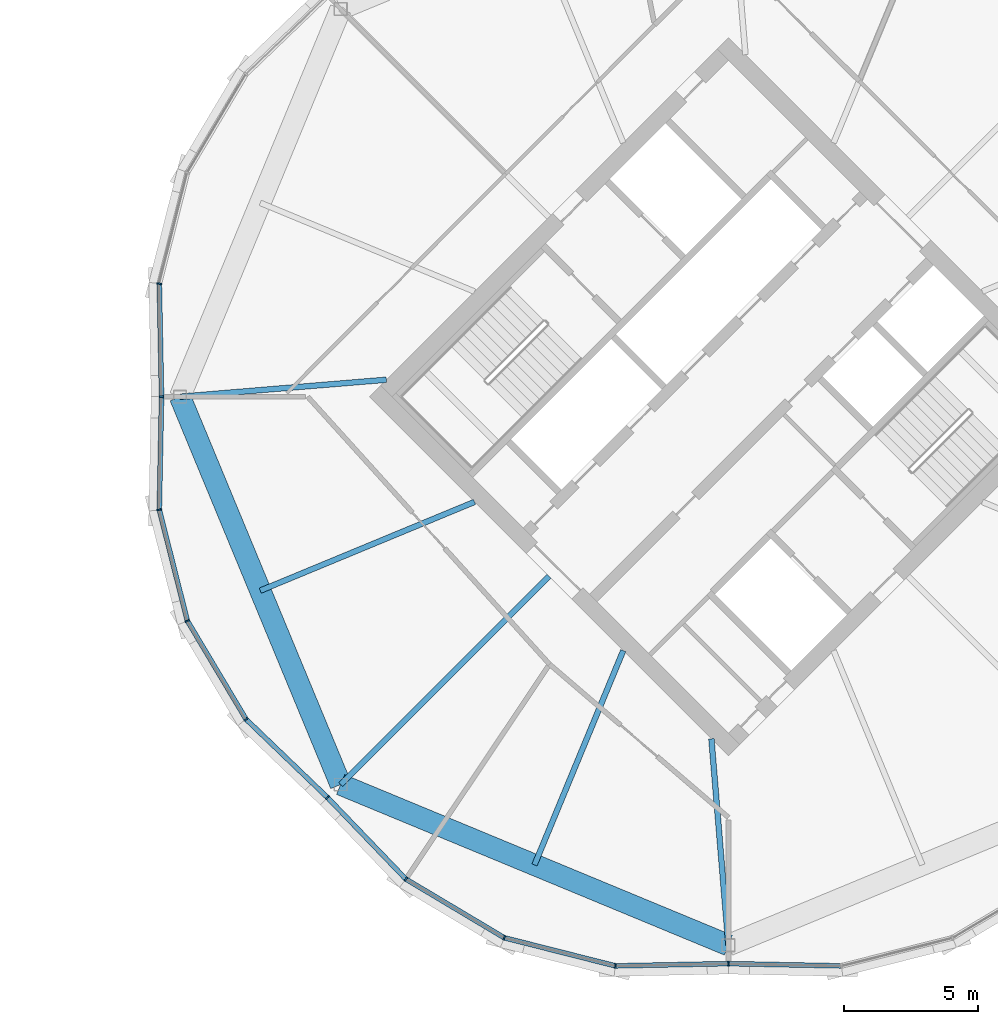
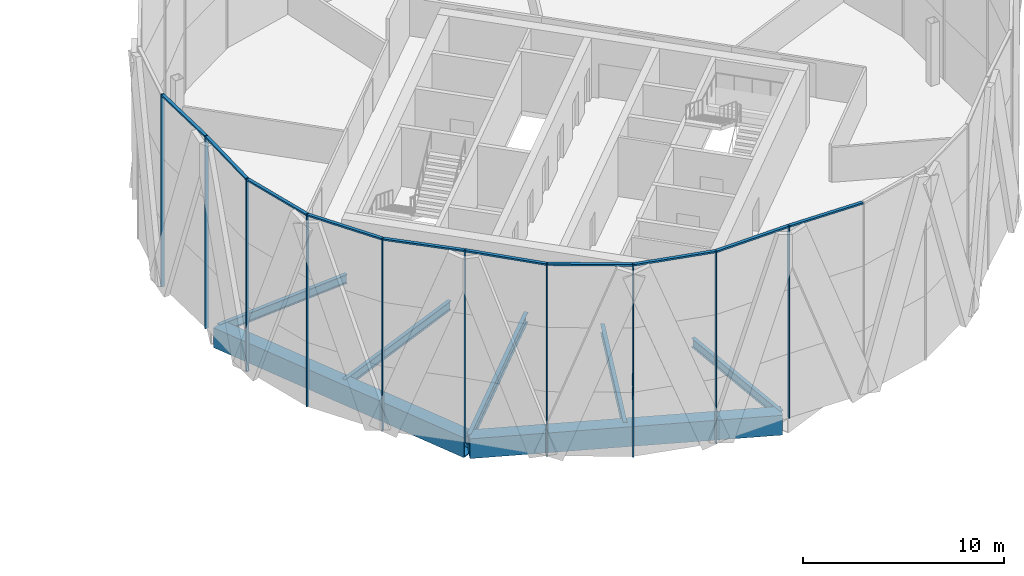
# One storey, part 9 of 25: 20 members, 7 beams, 4 elements without a shape of their own.
"""IFC4 building model written with IfcOpenShell, lengths in metres."""

from ifc_helpers import new_model, si_unit, direction, frame, origin, origin_2d, place, context, subcontext, project, spatial, rectangle, hollow_rectangle, i_section, extrude, material, material_profile, profile_set, type_object, element, aggregate, save


model = new_model("IFC4")

# Units and contexts
model_context = context("Model", 3, precision=1e-05, world=origin(), true_north=direction((0.0, 1.0)))
body_context = subcontext(model_context, "Body", "Model", "MODEL_VIEW")
ifc_project = project(units=[si_unit("LENGTHUNIT", "METRE"), si_unit("AREAUNIT", "SQUARE_METRE"), si_unit("VOLUMEUNIT", "CUBIC_METRE"), si_unit("PLANEANGLEUNIT", "RADIAN"), si_unit("MASSUNIT", "GRAM", prefix="KILO")], contexts=[model_context])

# Site, building, storey
site_placement = place(None, origin())
site = spatial("IfcSite", under=ifc_project, at=site_placement, CompositionType="ELEMENT")
building_placement = place(site_placement, origin())
building = spatial("IfcBuilding", under=site, at=building_placement, Name="Ogive Gate Towers", CompositionType="ELEMENT")
storey_placement = place(building_placement, frame((0.0, 0.0, 196.800048828125)))
storey = spatial("IfcBuildingStorey", under=building, at=storey_placement, Name="L47", CompositionType="ELEMENT", Elevation=196.800048828125)

# Beams
ifc_material_1 = material(Name="Steel SM460", Category="steel")
ifc_material_profile_1 = material_profile(ifc_material_1, hollow_rectangle(XDim=0.800048828125, YDim=1.199951171875, WallThickness=0.050048828125, at=origin_2d()), Name="BX 1200x800x50")
ifc_profile_set_1 = profile_set([ifc_material_profile_1], Name="Steel SM460")
beam_type_1 = type_object("IfcBeamType", Name="Edge girder BX 1200x800x50", PredefinedType="BEAM", material=ifc_profile_set_1)
for number, where, z_axis, x_axis, name in (
    (1, (21.490234375, -14.509765625, -0.900146484375), (0.923877006731, -0.38268953008, 0.0), (0.38268953008, 0.923877006731, 0.0), "T2/L47/SBM017"),
    (2, (15.47998046875, 0.0, -0.900146484375), (0.38268953008, -0.923877006731, 0.0), (0.923877006731, 0.38268953008, 0.0), "T2/L47/SBM024"),
):
    element("IfcBeam", number, at=place(storey_placement, frame(where, z_axis=z_axis, x_axis=x_axis)), inside=storey, type_object=beam_type_1, Name=name, PredefinedType="BEAM", context=body_context, shape_type="SweptSolid", body=[
        extrude(hollow_rectangle(XDim=0.800048828125, YDim=1.199951171875, WallThickness=0.050048828125, at=origin_2d()), origin(), (0.0, 0.0, 1.0), 15.705322265625),
    ])
ifc_material_2 = material(Name="Steel SM355", Category="steel")
ifc_material_profile_2 = material_profile(ifc_material_2, i_section(OverallWidth=0.2099609375, OverallDepth=0.550048828125, WebThickness=0.010986328125, FlangeThickness=0.01708984375, FilletRadius=0.02392578125, at=origin_2d()), Name="IPE 550")
ifc_profile_set_2 = profile_set([ifc_material_profile_2], Name="Steel SM355")
beam_type_2 = type_object("IfcBeamType", Name="Radial floor beam IPE 550", PredefinedType="BEAM", material=ifc_profile_set_2)
beam_1_placement = place(storey_placement, frame((32.06494140625, -9.5, -0.574951171875), z_axis=(-0.382678218882, -0.92388169199, 0.0), x_axis=(0.92388169199, -0.382678218882, 0.0)))
element("IfcBeam", 3, at=beam_1_placement, inside=storey, type_object=beam_type_2, Name="T2/L47/SBM002", PredefinedType="BEAM", context=body_context, shape_type="SweptSolid", body=[
    extrude(i_section(OverallWidth=0.2099609375, OverallDepth=0.550048828125, WebThickness=0.010986328125, FlangeThickness=0.01708984375, FilletRadius=0.02392578125, at=origin_2d()), origin(), (0.0, 0.0, 1.0), 8.67529296875),
])
for number, where, z_axis, x_axis, name in (
    (4, (35.363525390625, -12.798583984375, -0.574951171875), (0.082150949336, -0.996619898218, 0.0), (0.996619898218, 0.082150949336, 0.0), "T2/L47/SBM003"),
    (5, (23.201416015625, 0.636474609375, -0.574951171875), (-0.996619898218, -0.082150949336, 0.0), (0.082150949336, -0.996619898218, 0.0), "T2/L47/SBM015"),
):
    element("IfcBeam", number, at=place(storey_placement, frame(where, z_axis=z_axis, x_axis=x_axis)), inside=storey, type_object=beam_type_2, Name=name, PredefinedType="BEAM", context=body_context, shape_type="SweptSolid", body=[
        extrude(i_section(OverallWidth=0.2099609375, OverallDepth=0.550048828125, WebThickness=0.010986328125, FlangeThickness=0.01708984375, FilletRadius=0.02392578125, at=origin_2d()), origin(), (0.0, 0.0, 1.0), 7.74755859375),
    ])
beam_2_placement = place(storey_placement, frame((26.5, -3.93505859375, -0.574951171875), z_axis=(-0.92388169199, -0.382678218882, 0.0), x_axis=(0.382678218882, -0.92388169199, 0.0)))
element("IfcBeam", 6, at=beam_2_placement, inside=storey, type_object=beam_type_2, Name="T2/L47/SBM016", PredefinedType="BEAM", context=body_context, shape_type="SweptSolid", body=[
    extrude(i_section(OverallWidth=0.2099609375, OverallDepth=0.550048828125, WebThickness=0.010986328125, FlangeThickness=0.01708984375, FilletRadius=0.02392578125, at=origin_2d()), origin(), (0.0, 0.0, 1.0), 8.67529296875),
])
ifc_material_profile_3 = material_profile(ifc_material_2, i_section(OverallWidth=0.219970703125, OverallDepth=0.60009765625, WebThickness=0.011962890625, FlangeThickness=0.01904296875, FilletRadius=0.02392578125, at=origin_2d()), Name="IPE 600")
ifc_profile_set_3 = profile_set([ifc_material_profile_3], Name="Steel SM355")
beam_type_3 = type_object("IfcBeamType", Name="Radial floor beam IPE 600", PredefinedType="BEAM", material=ifc_profile_set_3)
beam_3_placement = place(storey_placement, frame((29.282470703125, -6.717529296875, -0.60009765625), z_axis=(-0.707106781187, -0.707106781187, 0.0), x_axis=(0.707106781187, -0.707106781187, 0.0)))
element("IfcBeam", 7, at=beam_3_placement, inside=storey, type_object=beam_type_3, Name="T2/L47/SBM001", PredefinedType="BEAM", context=body_context, shape_type="SweptSolid", body=[
    extrude(i_section(OverallWidth=0.219970703125, OverallDepth=0.60009765625, WebThickness=0.011962890625, FlangeThickness=0.01904296875, FilletRadius=0.02392578125, at=origin_2d()), origin(), (0.0, 0.0, 1.0), 11.019775390625),
])

# Curtain wall, members
ifc_material_3 = material(Name="Pale metal aluminium", Category="aluminium")
curtain_wall_type = type_object("IfcCurtainWallType", Name="Tower unitised wall, high zone", PredefinedType="NOTDEFINED", material=ifc_material_3)
curtain_wall_1_placement = place(storey_placement, origin())
curtain_wall_1 = element("IfcCurtainWall", 8, at=curtain_wall_1_placement, inside=storey, type_object=curtain_wall_type, Name="CW2 T2 ECW04", PredefinedType="NOTDEFINED")
ifc_material_profile_4 = material_profile(ifc_material_3, rectangle(XDim=0.179931640625, YDim=0.06005859375, at=origin_2d()), Name="60 x 180 aluminium box")
ifc_profile_set_4 = profile_set([ifc_material_profile_4], Name="Pale metal aluminium")
member_type_1 = type_object("IfcMemberType", Name="Tower unitised wall, high zone mullion 60 x 180", PredefinedType="MULLION", material=ifc_profile_set_4)
member_1_placement = place(storey_placement, frame((14.705078125, 4.228271484375, -0.300048828125), z_axis=(0.0, 0.0, 1.0), x_axis=(-0.993522366877, 0.113636730484, 0.0)))
member_1 = element("IfcMember", 9, at=member_1_placement, type_object=member_type_1, Name="CW2 mullion", PredefinedType="MULLION", context=body_context, shape_type="SweptSolid", body=[
    extrude(rectangle(XDim=0.179931640625, YDim=0.06005859375, at=origin_2d()), origin(), (0.0, 0.0, 1.0), 11.699951171875),
])
member_2_placement = place(storey_placement, frame((14.7900390625, 0.000244140625, -0.300048828125), z_axis=(0.0, 0.0, 1.0), x_axis=(-0.999798928628, -0.020052489003, 0.0)))
member_2 = element("IfcMember", 10, at=member_2_placement, type_object=member_type_1, Name="CW2 mullion", PredefinedType="MULLION", context=body_context, shape_type="SweptSolid", body=[
    extrude(rectangle(XDim=0.179931640625, YDim=0.06005859375, at=origin_2d()), origin(), (0.0, 0.0, 1.0), 11.699951171875),
])

curtain_wall_2_placement = place(storey_placement, origin())
curtain_wall_2 = element("IfcCurtainWall", 11, at=curtain_wall_2_placement, inside=storey, type_object=curtain_wall_type, Name="CW2 T2 ECW05", PredefinedType="NOTDEFINED")
member_3_placement = place(storey_placement, frame((14.705078125, -4.228271484375, -0.300048828125), z_axis=(0.0, 0.0, 1.0), x_axis=(-0.993522366877, -0.113636730484, 0.0)))
member_3 = element("IfcMember", 12, at=member_3_placement, type_object=member_type_1, Name="CW2 mullion", PredefinedType="MULLION", context=body_context, shape_type="SweptSolid", body=[
    extrude(rectangle(XDim=0.179931640625, YDim=0.06005859375, at=origin_2d()), origin(), (0.0, 0.0, 1.0), 11.699951171875),
])
member_4_placement = place(storey_placement, frame((15.7568359375, -8.385009765625, -0.300048828125), z_axis=(0.0, 0.0, 1.0), x_axis=(-0.923879532511, -0.382683432365, 0.0)))
member_4 = element("IfcMember", 13, at=member_4_placement, type_object=member_type_1, Name="CW2 mullion", PredefinedType="MULLION", context=body_context, shape_type="SweptSolid", body=[
    extrude(rectangle(XDim=0.179931640625, YDim=0.06005859375, at=origin_2d()), origin(), (0.0, 0.0, 1.0), 11.699951171875),
])
member_5_placement = place(storey_placement, frame((17.952392578125, -12.068115234375, -0.300048828125), z_axis=(0.0, 0.0, 1.0), x_axis=(-0.782879705596, -0.622173100162, 0.0)))
member_5 = element("IfcMember", 14, at=member_5_placement, type_object=member_type_1, Name="CW2 mullion", PredefinedType="MULLION", context=body_context, shape_type="SweptSolid", body=[
    extrude(rectangle(XDim=0.179931640625, YDim=0.06005859375, at=origin_2d()), origin(), (0.0, 0.0, 1.0), 11.699951171875),
])
member_6_placement = place(storey_placement, frame((21.002197265625, -14.99755859375, -0.300048828125), z_axis=(0.0, 0.0, 1.0), x_axis=(-0.692785351302, -0.72114385321, 0.0)))
member_6 = element("IfcMember", 15, at=member_6_placement, type_object=member_type_1, Name="CW2 mullion", PredefinedType="MULLION", context=body_context, shape_type="SweptSolid", body=[
    extrude(rectangle(XDim=0.179931640625, YDim=0.06005859375, at=origin_2d()), origin(), (0.0, 0.0, 1.0), 11.699951171875),
])

curtain_wall_3_placement = place(storey_placement, origin())
curtain_wall_3 = element("IfcCurtainWall", 16, at=curtain_wall_3_placement, inside=storey, type_object=curtain_wall_type, Name="CW2 T2 ECW06", PredefinedType="NOTDEFINED")
member_7_placement = place(storey_placement, frame((23.931884765625, -18.047607421875, -0.300048828125), z_axis=(0.0, 0.0, 1.0), x_axis=(-0.622173100162, -0.782879705596, 0.0)))
member_7 = element("IfcMember", 17, at=member_7_placement, type_object=member_type_1, Name="CW2 mullion", PredefinedType="MULLION", context=body_context, shape_type="SweptSolid", body=[
    extrude(rectangle(XDim=0.179931640625, YDim=0.06005859375, at=origin_2d()), origin(), (0.0, 0.0, 1.0), 11.699951171875),
])
member_8_placement = place(storey_placement, frame((27.614990234375, -20.2431640625, -0.300048828125), z_axis=(0.0, 0.0, 1.0), x_axis=(-0.382683432365, -0.923879532511, 0.0)))
member_8 = element("IfcMember", 18, at=member_8_placement, type_object=member_type_1, Name="CW2 mullion", PredefinedType="MULLION", context=body_context, shape_type="SweptSolid", body=[
    extrude(rectangle(XDim=0.179931640625, YDim=0.06005859375, at=origin_2d()), origin(), (0.0, 0.0, 1.0), 11.699951171875),
])
member_9_placement = place(storey_placement, frame((31.771728515625, -21.294921875, -0.300048828125), z_axis=(0.0, 0.0, 1.0), x_axis=(-0.113636730484, -0.993522366877, 0.0)))
member_9 = element("IfcMember", 19, at=member_9_placement, type_object=member_type_1, Name="CW2 mullion", PredefinedType="MULLION", context=body_context, shape_type="SweptSolid", body=[
    extrude(rectangle(XDim=0.179931640625, YDim=0.06005859375, at=origin_2d()), origin(), (0.0, 0.0, 1.0), 11.699951171875),
])
member_10_placement = place(storey_placement, frame((35.999755859375, -21.2099609375, -0.300048828125), z_axis=(0.0, 0.0, 1.0), x_axis=(0.020052489003, -0.999798928628, 0.0)))
member_10 = element("IfcMember", 20, at=member_10_placement, type_object=member_type_1, Name="CW2 mullion", PredefinedType="MULLION", context=body_context, shape_type="SweptSolid", body=[
    extrude(rectangle(XDim=0.179931640625, YDim=0.06005859375, at=origin_2d()), origin(), (0.0, 0.0, 1.0), 11.699951171875),
])

# Member
ifc_material_profile_5 = material_profile(ifc_material_3, rectangle(XDim=0.179931640625, YDim=0.10009765625, at=origin_2d()), Name="100 x 180 aluminium box")
ifc_profile_set_5 = profile_set([ifc_material_profile_5], Name="Pale metal aluminium")
member_type_2 = type_object("IfcMemberType", Name="Tower unitised wall, high zone transom 100 x 180", PredefinedType="USERDEFINED", material=ifc_profile_set_5)
member_11_placement = place(storey_placement, frame((14.705810546875, 4.199462890625, 11.349853515625), z_axis=(0.020022921839, -0.999799521205, 0.0), x_axis=(0.999799521205, 0.020022921839, 0.0)))
member_11 = element("IfcMember", 21, at=member_11_placement, type_object=member_type_2, Name="CW2 transom", ObjectType="TRANSOM", PredefinedType="USERDEFINED", context=body_context, shape_type="SweptSolid", body=[
    extrude(rectangle(XDim=0.179931640625, YDim=0.10009765625, at=origin_2d()), origin(), (0.0, 0.0, 1.0), 4.169921875),
])

aggregate(curtain_wall_1, [member_1, member_2, member_11])

member_12_placement = place(storey_placement, frame((14.789306640625, -0.0302734375, 11.349853515625), z_axis=(-0.020022921839, -0.999799521205, 0.0), x_axis=(0.999799521205, -0.020022921839, 0.0)))
member_12 = element("IfcMember", 22, at=member_12_placement, type_object=member_type_2, Name="CW2 transom", ObjectType="TRANSOM", PredefinedType="USERDEFINED", context=body_context, shape_type="SweptSolid", body=[
    extrude(rectangle(XDim=0.179931640625, YDim=0.10009765625, at=origin_2d()), origin(), (0.0, 0.0, 1.0), 4.169921875),
])

member_13_placement = place(storey_placement, frame((14.71240234375, -4.255859375, 11.349853515625), z_axis=(0.245250248559, -0.969459806068, 0.0), x_axis=(0.969459806068, 0.245250248559, 0.0)))
member_13 = element("IfcMember", 23, at=member_13_placement, type_object=member_type_2, Name="CW2 transom", ObjectType="TRANSOM", PredefinedType="USERDEFINED", context=body_context, shape_type="SweptSolid", body=[
    extrude(rectangle(XDim=0.179931640625, YDim=0.10009765625, at=origin_2d()), origin(), (0.0, 0.0, 1.0), 4.230712890625),
])

member_14_placement = place(storey_placement, frame((15.771484375, -8.409423828125, 11.349853515625), z_axis=(0.512057991899, -0.858950879232, 0.0), x_axis=(0.858950879232, 0.512057991899, 0.0)))
member_14 = element("IfcMember", 24, at=member_14_placement, type_object=member_type_2, Name="CW2 transom", ObjectType="TRANSOM", PredefinedType="USERDEFINED", context=body_context, shape_type="SweptSolid", body=[
    extrude(rectangle(XDim=0.179931640625, YDim=0.10009765625, at=origin_2d()), origin(), (0.0, 0.0, 1.0), 4.23046875),
])

member_15_placement = place(storey_placement, frame((17.97314453125, -12.087890625, 11.349853515625), z_axis=(0.721161485843, -0.692766996426, 0.0), x_axis=(0.692766996426, 0.721161485843, 0.0)))
member_15 = element("IfcMember", 25, at=member_15_placement, type_object=member_type_2, Name="CW2 transom", ObjectType="TRANSOM", PredefinedType="USERDEFINED", context=body_context, shape_type="SweptSolid", body=[
    extrude(rectangle(XDim=0.179931640625, YDim=0.10009765625, at=origin_2d()), origin(), (0.0, 0.0, 1.0), 4.170166015625),
])

aggregate(curtain_wall_2, [member_3, member_12, member_4, member_13, member_5, member_14, member_6, member_15])

member_16_placement = place(storey_placement, frame((21.023193359375, -15.01953125, 11.349853515625), z_axis=(0.692766996426, -0.721161485843, 0.0), x_axis=(0.721161485843, 0.692766996426, 0.0)))
member_16 = element("IfcMember", 26, at=member_16_placement, type_object=member_type_2, Name="CW2 transom", ObjectType="TRANSOM", PredefinedType="USERDEFINED", context=body_context, shape_type="SweptSolid", body=[
    extrude(rectangle(XDim=0.179931640625, YDim=0.10009765625, at=origin_2d()), origin(), (0.0, 0.0, 1.0), 4.170166015625),
])

member_17_placement = place(storey_placement, frame((23.956787109375, -18.062255859375, 11.349853515625), z_axis=(0.858950879232, -0.512057991899, 0.0), x_axis=(0.512057991899, 0.858950879232, 0.0)))
member_17 = element("IfcMember", 27, at=member_17_placement, type_object=member_type_2, Name="CW2 transom", ObjectType="TRANSOM", PredefinedType="USERDEFINED", context=body_context, shape_type="SweptSolid", body=[
    extrude(rectangle(XDim=0.179931640625, YDim=0.10009765625, at=origin_2d()), origin(), (0.0, 0.0, 1.0), 4.23046875),
])

member_18_placement = place(storey_placement, frame((27.642578125, -20.25, 11.349853515625), z_axis=(0.969459806068, -0.245250248559, 0.0), x_axis=(0.245250248559, 0.969459806068, 0.0)))
member_18 = element("IfcMember", 28, at=member_18_placement, type_object=member_type_2, Name="CW2 transom", ObjectType="TRANSOM", PredefinedType="USERDEFINED", context=body_context, shape_type="SweptSolid", body=[
    extrude(rectangle(XDim=0.179931640625, YDim=0.10009765625, at=origin_2d()), origin(), (0.0, 0.0, 1.0), 4.230712890625),
])

member_19_placement = place(storey_placement, frame((31.800537109375, -21.294189453125, 11.349853515625), z_axis=(0.999799521205, 0.020022921839, 0.0), x_axis=(-0.020022921839, 0.999799521205, 0.0)))
member_19 = element("IfcMember", 29, at=member_19_placement, type_object=member_type_2, Name="CW2 transom", ObjectType="TRANSOM", PredefinedType="USERDEFINED", context=body_context, shape_type="SweptSolid", body=[
    extrude(rectangle(XDim=0.179931640625, YDim=0.10009765625, at=origin_2d()), origin(), (0.0, 0.0, 1.0), 4.169921875),
])

aggregate(curtain_wall_3, [member_7, member_16, member_8, member_17, member_9, member_18, member_10, member_19])

# Curtain wall, member
curtain_wall_4_placement = place(storey_placement, origin())
curtain_wall_4 = element("IfcCurtainWall", 30, at=curtain_wall_4_placement, inside=storey, type_object=curtain_wall_type, Name="CW2 T2 ECW07", PredefinedType="NOTDEFINED")
member_20_placement = place(storey_placement, frame((36.0302734375, -21.210693359375, 11.349853515625), z_axis=(0.999799521205, -0.020022921839, 0.0), x_axis=(0.020022921839, 0.999799521205, 0.0)))
member_20 = element("IfcMember", 31, at=member_20_placement, type_object=member_type_2, Name="CW2 transom", ObjectType="TRANSOM", PredefinedType="USERDEFINED", context=body_context, shape_type="SweptSolid", body=[
    extrude(rectangle(XDim=0.179931640625, YDim=0.10009765625, at=origin_2d()), origin(), (0.0, 0.0, 1.0), 4.169921875),
])
aggregate(curtain_wall_4, [member_20])

save(model, "model.ifc")
